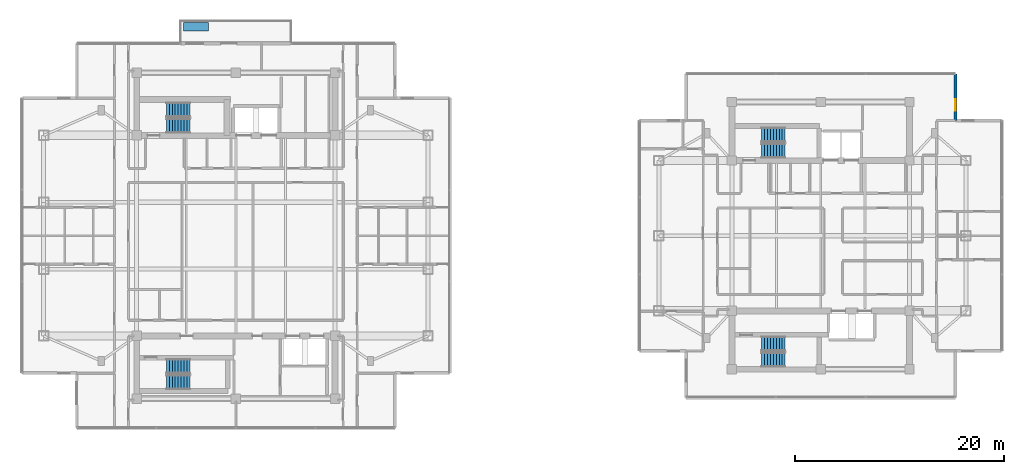
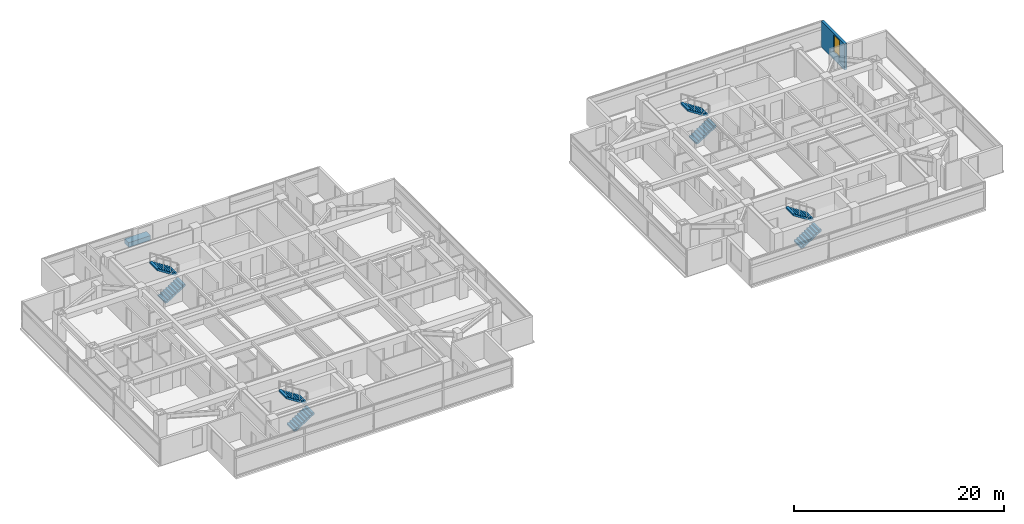
# One storey, part 18 of 24: 8 stair flights, 1 discrete accessory, 1 wall, 1 window, 1 opening, 4 elements without a shape of their own.
"""IFC4 building model written with IfcOpenShell, lengths in metres."""

from ifc_helpers import new_model, si_unit, direction, frame, frame_2d, origin, origin_2d, place, context, subcontext, project, spatial, polyline, rectangle, outline, extrude, material, layer, layer_set, type_object, element, fill, aggregate, save


model = new_model("IFC4")

# Units and contexts
model_context = context("Model", 3, precision=1e-05, world=origin(), true_north=direction((0.0, 1.0)))
body_context = subcontext(model_context, "Body", "Model", "MODEL_VIEW")
ifc_project = project(units=[si_unit("LENGTHUNIT", "METRE"), si_unit("AREAUNIT", "SQUARE_METRE"), si_unit("VOLUMEUNIT", "CUBIC_METRE"), si_unit("PLANEANGLEUNIT", "RADIAN"), si_unit("MASSUNIT", "GRAM", prefix="KILO")], contexts=[model_context])

# Site, building, storey
site_placement = place(None, origin())
site = spatial("IfcSite", under=ifc_project, at=site_placement, CompositionType="ELEMENT")
building_placement = place(site_placement, origin())
building = spatial("IfcBuilding", under=site, at=building_placement, Name="Mirazonda Arch Towers", CompositionType="ELEMENT")
storey_placement = place(building_placement, frame((0.0, 0.0, 196.64990234375)))
storey = spatial("IfcBuildingStorey", under=building, at=storey_placement, Name="L56", CompositionType="ELEMENT", Elevation=196.64990234375)

# Wall, opening, window
ifc_material_1 = material(Name="Precast Concrete C40/50", Category="concrete")
ifc_layer = layer(ifc_material_1, 0.280029296875, Name="WALL-EXT-WALL-280")
ifc_layer_set = layer_set([ifc_layer], Name="Precast Concrete C40/50")
wall_type = type_object("IfcWallType", Name="WALL-EXT-WALL-280", PredefinedType="SOLIDWALL", material=ifc_layer_set)
wall_placement = place(storey_placement, frame((89.389892578125, 39.031982421875, 0.0), z_axis=(0.0, 0.0, 1.0), x_axis=(0.0, 1.0, 0.0)))
wall = element("IfcWall", 1, at=wall_placement, inside=storey, type_object=wall_type, Name="L56 T2 Notched NE Corner Wall WL-L56-T2-CNE", PredefinedType="SOLIDWALL", context=body_context, shape_type="SweptSolid", body=[
    extrude(rectangle(XDim=4.439697265625, YDim=0.280029296875, at=frame_2d((2.2197265625, 0.0))), origin(), (0.0, 0.0, 1.0), 3.030029296875),
])
opening_placement = place(wall_placement, frame((0.949951171875, 0.0, 0.85009765625)))
opening = element("IfcOpeningElement", 2, at=opening_placement, cuts=wall, Name="Opening WN-108", PredefinedType="OPENING", context=body_context, shape_type="SweptSolid", body=[
    extrude(rectangle(XDim=1.10009765625, YDim=2.0, at=frame_2d((0.550048828125, 1.0))), frame((0.0, 0.14990234375, 0.0), z_axis=(0.0, -1.0, 0.0), x_axis=(1.0, 0.0, 0.0)), (0.0, 0.0, 1.0), 0.300048828125),
])
ifc_material_2 = material(Name="Insulated Low-E Solar Glass", Category="glass")
window_type = type_object("IfcWindowType", Name="WIN-NOTCH-1100x2000", PartitioningType="SINGLE_PANEL", PredefinedType="WINDOW", material=ifc_material_2)
window_placement = place(opening_placement, origin())
window = element("IfcWindow", 3, at=window_placement, inside=storey, type_object=window_type, Name="L56 Punched Facade Window WN-L56-T2-CNE", OverallHeight=2.0, OverallWidth=1.10009765625, PartitioningType="SINGLE_PANEL", PredefinedType="WINDOW", context=body_context, shape_type="SweptSolid", body=[
    extrude(rectangle(XDim=1.10009765625, YDim=2.0, at=frame_2d((0.550048828125, 1.0))), frame((0.0, 0.030029296875, 0.0), z_axis=(0.0, -1.0, 0.0), x_axis=(1.0, 0.0, 0.0)), (0.0, 0.0, 1.0), 0.06005859375),
])
fill(opening, window)

# Stair, stair flights
ifc_material_3 = material(Name="Concrete C40/50", Category="concrete")
stair_type = type_object("IfcStairType", Name="STAIR-CORE-1400", PredefinedType="HALF_TURN_STAIR", material=ifc_material_3)
stair_1_placement = place(storey_placement, origin())
stair_1 = element("IfcStair", 4, at=stair_1_placement, inside=storey, type_object=stair_type, Name="L56 Protected Exit Stair ST-T1N", PredefinedType="HALF_TURN_STAIR")
stair_flight_type = type_object("IfcStairFlightType", Name="FLIGHT-1400", PredefinedType="STRAIGHT", material=ifc_material_3)
stair_flight_1_placement = place(storey_placement, frame((13.85009765625, 38.52001953125, 0.0), z_axis=(0.0, 0.0, 1.0), x_axis=(1.0, 0.0, 0.0)))
stair_flight_1 = element("IfcStairFlight", 5, at=stair_flight_1_placement, type_object=stair_flight_type, Name="ST-T1N flight 1", NumberOfRisers=9, NumberOfTreads=8, PredefinedType="STRAIGHT", RiserHeight=0.180555556, TreadLength=0.28, context=body_context, shape_type="SweptSolid", body=[
    extrude(outline(polyline([(0.0, 0.0), (0.0, 0.1806640625), (0.280029296875, 0.1806640625), (0.280029296875, 0.361083984375), (0.56005859375, 0.361083984375), (0.56005859375, 0.541748046875), (0.840087890625, 0.541748046875), (0.840087890625, 0.72216796875), (1.1201171875, 0.72216796875), (1.1201171875, 0.90283203125), (1.39990234375, 0.90283203125), (1.39990234375, 1.083251953125), (1.679931640625, 1.083251953125), (1.679931640625, 1.263916015625), (1.9599609375, 1.263916015625), (1.9599609375, 1.4443359375), (2.239990234375, 1.4443359375), (2.239990234375, 1.625), (2.239990234375, 1.254150390625), (0.295166015625, 0.0), (0.0, 0.0)])), frame((0.0, 0.699951171875, 0.0), z_axis=(0.0, -1.0, 0.0), x_axis=(1.0, 0.0, 0.0)), (0.0, 0.0, 1.0), 1.39990234375),
])
stair_flight_2_placement = place(storey_placement, frame((16.090087890625, 40.06005859375, 1.625), z_axis=(0.0, 0.0, 1.0), x_axis=(-1.0, 0.0, 0.0)))
stair_flight_2 = element("IfcStairFlight", 6, at=stair_flight_2_placement, type_object=stair_flight_type, Name="ST-T1N flight 2", NumberOfRisers=9, NumberOfTreads=8, PredefinedType="STRAIGHT", RiserHeight=0.180555556, TreadLength=0.28, context=body_context, shape_type="SweptSolid", body=[
    extrude(outline(polyline([(0.0, 0.0), (0.0, 0.1806640625), (0.280029296875, 0.1806640625), (0.280029296875, 0.361083984375), (0.56005859375, 0.361083984375), (0.56005859375, 0.541748046875), (0.840087890625, 0.541748046875), (0.840087890625, 0.72216796875), (1.1201171875, 0.72216796875), (1.1201171875, 0.90283203125), (1.39990234375, 0.90283203125), (1.39990234375, 1.083251953125), (1.679931640625, 1.083251953125), (1.679931640625, 1.263916015625), (1.9599609375, 1.263916015625), (1.9599609375, 1.4443359375), (2.239990234375, 1.4443359375), (2.239990234375, 1.625), (2.239990234375, 1.254150390625), (0.295166015625, 0.0), (0.0, 0.0)])), frame((0.0, 0.699951171875, 0.0), z_axis=(0.0, -1.0, 0.0), x_axis=(1.0, 0.0, 0.0)), (0.0, 0.0, 1.0), 1.39990234375),
])
aggregate(stair_1, [stair_flight_1, stair_flight_2])

stair_2_placement = place(storey_placement, origin())
stair_2 = element("IfcStair", 7, at=stair_2_placement, inside=storey, type_object=stair_type, Name="L56 Protected Exit Stair ST-T1S", PredefinedType="HALF_TURN_STAIR")
stair_flight_3_placement = place(storey_placement, frame((13.85009765625, 13.949951171875, 0.0), z_axis=(0.0, 0.0, 1.0), x_axis=(1.0, 0.0, 0.0)))
stair_flight_3 = element("IfcStairFlight", 8, at=stair_flight_3_placement, type_object=stair_flight_type, Name="ST-T1S flight 1", NumberOfRisers=9, NumberOfTreads=8, PredefinedType="STRAIGHT", RiserHeight=0.180555556, TreadLength=0.28, context=body_context, shape_type="SweptSolid", body=[
    extrude(outline(polyline([(0.0, 0.0), (0.0, 0.1806640625), (0.280029296875, 0.1806640625), (0.280029296875, 0.361083984375), (0.56005859375, 0.361083984375), (0.56005859375, 0.541748046875), (0.840087890625, 0.541748046875), (0.840087890625, 0.72216796875), (1.1201171875, 0.72216796875), (1.1201171875, 0.90283203125), (1.39990234375, 0.90283203125), (1.39990234375, 1.083251953125), (1.679931640625, 1.083251953125), (1.679931640625, 1.263916015625), (1.9599609375, 1.263916015625), (1.9599609375, 1.4443359375), (2.239990234375, 1.4443359375), (2.239990234375, 1.625), (2.239990234375, 1.254150390625), (0.295166015625, 0.0), (0.0, 0.0)])), frame((0.0, 0.699951171875, 0.0), z_axis=(0.0, -1.0, 0.0), x_axis=(1.0, 0.0, 0.0)), (0.0, 0.0, 1.0), 1.39990234375),
])
stair_flight_4_placement = place(storey_placement, frame((16.090087890625, 15.489990234375, 1.625), z_axis=(0.0, 0.0, 1.0), x_axis=(-1.0, 0.0, 0.0)))
stair_flight_4 = element("IfcStairFlight", 9, at=stair_flight_4_placement, type_object=stair_flight_type, Name="ST-T1S flight 2", NumberOfRisers=9, NumberOfTreads=8, PredefinedType="STRAIGHT", RiserHeight=0.180555556, TreadLength=0.28, context=body_context, shape_type="SweptSolid", body=[
    extrude(outline(polyline([(0.0, 0.0), (0.0, 0.1806640625), (0.280029296875, 0.1806640625), (0.280029296875, 0.361083984375), (0.56005859375, 0.361083984375), (0.56005859375, 0.541748046875), (0.840087890625, 0.541748046875), (0.840087890625, 0.72216796875), (1.1201171875, 0.72216796875), (1.1201171875, 0.90283203125), (1.39990234375, 0.90283203125), (1.39990234375, 1.083251953125), (1.679931640625, 1.083251953125), (1.679931640625, 1.263916015625), (1.9599609375, 1.263916015625), (1.9599609375, 1.4443359375), (2.239990234375, 1.4443359375), (2.239990234375, 1.625), (2.239990234375, 1.254150390625), (0.295166015625, 0.0), (0.0, 0.0)])), frame((0.0, 0.699951171875, 0.0), z_axis=(0.0, -1.0, 0.0), x_axis=(1.0, 0.0, 0.0)), (0.0, 0.0, 1.0), 1.39990234375),
])
aggregate(stair_2, [stair_flight_3, stair_flight_4])

stair_3_placement = place(storey_placement, origin())
stair_3 = element("IfcStair", 10, at=stair_3_placement, inside=storey, type_object=stair_type, Name="L56 Protected Exit Stair ST-T2N", PredefinedType="HALF_TURN_STAIR")
stair_flight_5_placement = place(storey_placement, frame((70.85009765625, 36.1201171875, 0.0), z_axis=(0.0, 0.0, 1.0), x_axis=(1.0, 0.0, 0.0)))
stair_flight_5 = element("IfcStairFlight", 11, at=stair_flight_5_placement, type_object=stair_flight_type, Name="ST-T2N flight 1", NumberOfRisers=9, NumberOfTreads=8, PredefinedType="STRAIGHT", RiserHeight=0.180555556, TreadLength=0.28, context=body_context, shape_type="SweptSolid", body=[
    extrude(outline(polyline([(0.0, 0.0), (0.0, 0.1806640625), (0.280029296875, 0.1806640625), (0.280029296875, 0.361083984375), (0.56005859375, 0.361083984375), (0.56005859375, 0.541748046875), (0.840087890625, 0.541748046875), (0.840087890625, 0.72216796875), (1.1201171875, 0.72216796875), (1.1201171875, 0.90283203125), (1.39990234375, 0.90283203125), (1.39990234375, 1.083251953125), (1.679931640625, 1.083251953125), (1.679931640625, 1.263916015625), (1.9599609375, 1.263916015625), (1.9599609375, 1.4443359375), (2.239990234375, 1.4443359375), (2.239990234375, 1.625), (2.239990234375, 1.254150390625), (0.295166015625, 0.0), (0.0, 0.0)])), frame((0.0, 0.699951171875, 0.0), z_axis=(0.0, -1.0, 0.0), x_axis=(1.0, 0.0, 0.0)), (0.0, 0.0, 1.0), 1.39990234375),
])
stair_flight_6_placement = place(storey_placement, frame((73.090087890625, 37.659912109375, 1.625), z_axis=(0.0, 0.0, 1.0), x_axis=(-1.0, 0.0, 0.0)))
stair_flight_6 = element("IfcStairFlight", 12, at=stair_flight_6_placement, type_object=stair_flight_type, Name="ST-T2N flight 2", NumberOfRisers=9, NumberOfTreads=8, PredefinedType="STRAIGHT", RiserHeight=0.180555556, TreadLength=0.28, context=body_context, shape_type="SweptSolid", body=[
    extrude(outline(polyline([(0.0, 0.0), (0.0, 0.1806640625), (0.280029296875, 0.1806640625), (0.280029296875, 0.361083984375), (0.56005859375, 0.361083984375), (0.56005859375, 0.541748046875), (0.840087890625, 0.541748046875), (0.840087890625, 0.72216796875), (1.1201171875, 0.72216796875), (1.1201171875, 0.90283203125), (1.39990234375, 0.90283203125), (1.39990234375, 1.083251953125), (1.679931640625, 1.083251953125), (1.679931640625, 1.263916015625), (1.9599609375, 1.263916015625), (1.9599609375, 1.4443359375), (2.239990234375, 1.4443359375), (2.239990234375, 1.625), (2.239990234375, 1.254150390625), (0.295166015625, 0.0), (0.0, 0.0)])), frame((0.0, 0.699951171875, 0.0), z_axis=(0.0, -1.0, 0.0), x_axis=(1.0, 0.0, 0.0)), (0.0, 0.0, 1.0), 1.39990234375),
])
aggregate(stair_3, [stair_flight_5, stair_flight_6])

stair_4_placement = place(storey_placement, origin())
stair_4 = element("IfcStair", 13, at=stair_4_placement, inside=storey, type_object=stair_type, Name="L56 Protected Exit Stair ST-T2S", PredefinedType="HALF_TURN_STAIR")
stair_flight_7_placement = place(storey_placement, frame((70.85009765625, 16.1201171875, 0.0), z_axis=(0.0, 0.0, 1.0), x_axis=(1.0, 0.0, 0.0)))
stair_flight_7 = element("IfcStairFlight", 14, at=stair_flight_7_placement, type_object=stair_flight_type, Name="ST-T2S flight 1", NumberOfRisers=9, NumberOfTreads=8, PredefinedType="STRAIGHT", RiserHeight=0.180555556, TreadLength=0.28, context=body_context, shape_type="SweptSolid", body=[
    extrude(outline(polyline([(0.0, 0.0), (0.0, 0.1806640625), (0.280029296875, 0.1806640625), (0.280029296875, 0.361083984375), (0.56005859375, 0.361083984375), (0.56005859375, 0.541748046875), (0.840087890625, 0.541748046875), (0.840087890625, 0.72216796875), (1.1201171875, 0.72216796875), (1.1201171875, 0.90283203125), (1.39990234375, 0.90283203125), (1.39990234375, 1.083251953125), (1.679931640625, 1.083251953125), (1.679931640625, 1.263916015625), (1.9599609375, 1.263916015625), (1.9599609375, 1.4443359375), (2.239990234375, 1.4443359375), (2.239990234375, 1.625), (2.239990234375, 1.254150390625), (0.295166015625, 0.0), (0.0, 0.0)])), frame((0.0, 0.699951171875, 0.0), z_axis=(0.0, -1.0, 0.0), x_axis=(1.0, 0.0, 0.0)), (0.0, 0.0, 1.0), 1.39990234375),
])
stair_flight_8_placement = place(storey_placement, frame((73.090087890625, 17.659912109375, 1.625), z_axis=(0.0, 0.0, 1.0), x_axis=(-1.0, 0.0, 0.0)))
stair_flight_8 = element("IfcStairFlight", 15, at=stair_flight_8_placement, type_object=stair_flight_type, Name="ST-T2S flight 2", NumberOfRisers=9, NumberOfTreads=8, PredefinedType="STRAIGHT", RiserHeight=0.180555556, TreadLength=0.28, context=body_context, shape_type="SweptSolid", body=[
    extrude(outline(polyline([(0.0, 0.0), (0.0, 0.1806640625), (0.280029296875, 0.1806640625), (0.280029296875, 0.361083984375), (0.56005859375, 0.361083984375), (0.56005859375, 0.541748046875), (0.840087890625, 0.541748046875), (0.840087890625, 0.72216796875), (1.1201171875, 0.72216796875), (1.1201171875, 0.90283203125), (1.39990234375, 0.90283203125), (1.39990234375, 1.083251953125), (1.679931640625, 1.083251953125), (1.679931640625, 1.263916015625), (1.9599609375, 1.263916015625), (1.9599609375, 1.4443359375), (2.239990234375, 1.4443359375), (2.239990234375, 1.625), (2.239990234375, 1.254150390625), (0.295166015625, 0.0), (0.0, 0.0)])), frame((0.0, 0.699951171875, 0.0), z_axis=(0.0, -1.0, 0.0), x_axis=(1.0, 0.0, 0.0)), (0.0, 0.0, 1.0), 1.39990234375),
])
aggregate(stair_4, [stair_flight_7, stair_flight_8])

# Discrete accessory
ifc_material_4 = material(Name="Kiln-Fired Architectural Terracotta", Category="masonry")
discrete_accessory_type = type_object("IfcDiscreteAccessoryType", Name="PLANTER-TERRA", PredefinedType="USERDEFINED", material=ifc_material_4)
discrete_accessory_placement = place(storey_placement, frame((16.699951171875, 48.001953125, 0.0), z_axis=(0.0, 0.0, 1.0), x_axis=(1.0, 0.0, 0.0)))
element("IfcDiscreteAccessory", 16, at=discrete_accessory_placement, inside=storey, type_object=discrete_accessory_type, Name="L56 T1 Sky-Terrace Planter", ObjectType="PLANTER", PredefinedType="USERDEFINED", context=body_context, shape_type="SweptSolid", body=[
    extrude(rectangle(XDim=2.39990234375, YDim=0.800048828125, at=origin_2d()), origin(), (0.0, 0.0, 1.0), 0.550048828125),
])

save(model, "model.ifc")
